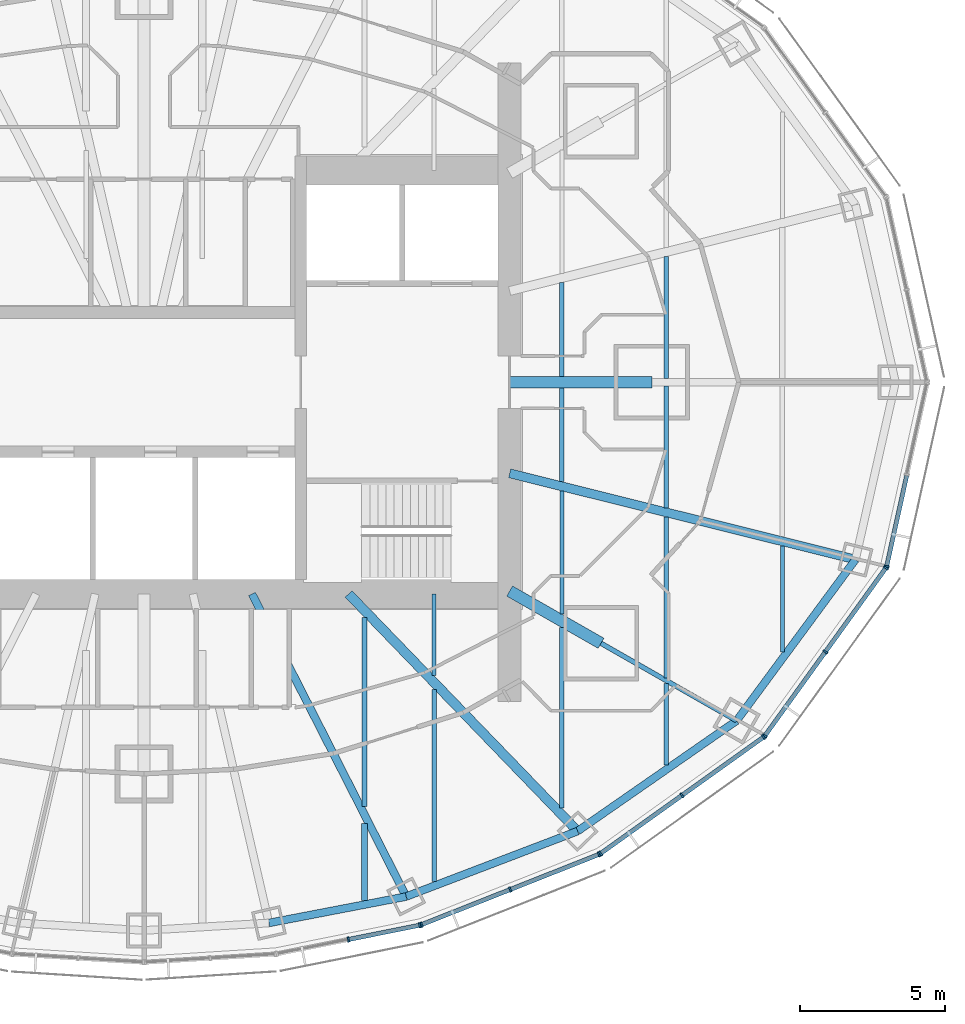
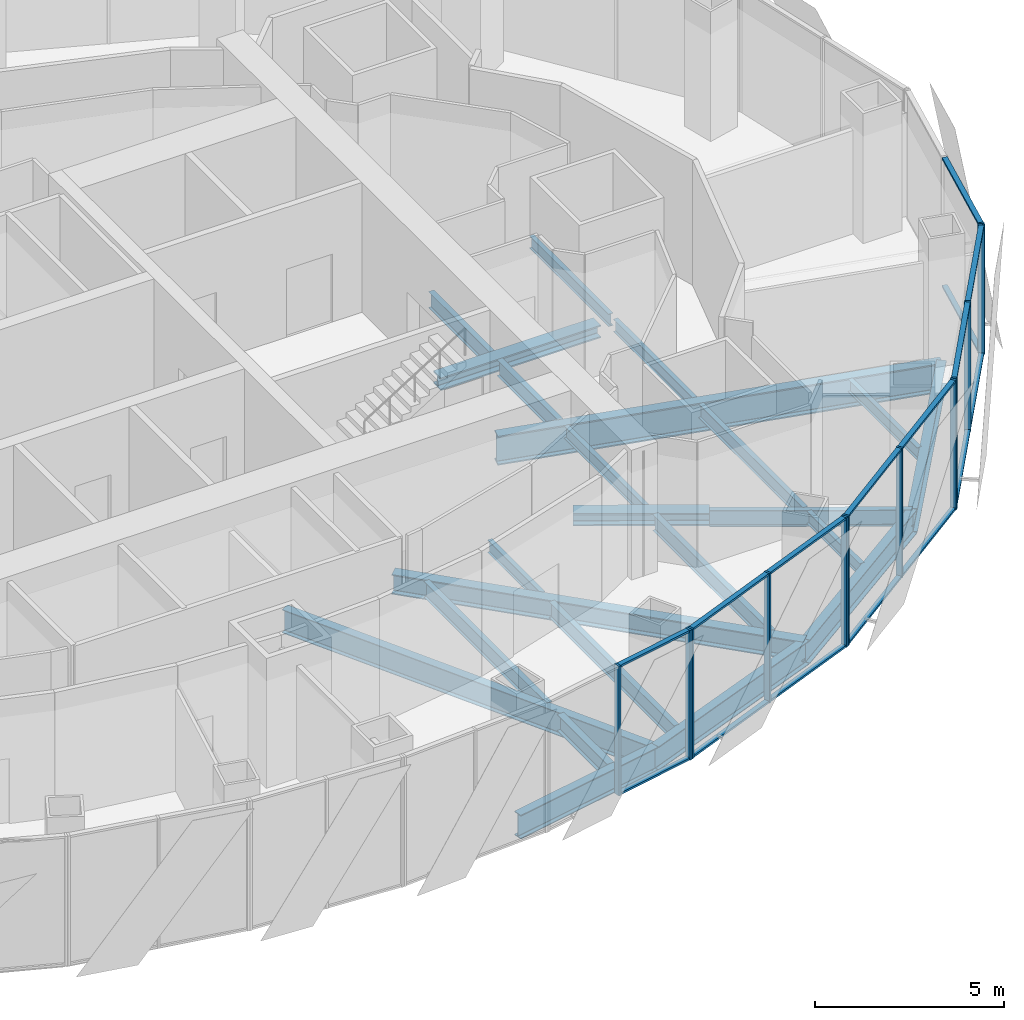
# One storey, part 6 of 18: 28 members, 23 beams, 5 elements without a shape of their own.
"""IFC4 building model written with IfcOpenShell, lengths in metres."""

from ifc_helpers import new_model, si_unit, direction, frame, origin, origin_2d, place, context, subcontext, project, spatial, rectangle, i_section, extrude, material, material_profile, profile_set, type_object, element, aggregate, save


model = new_model("IFC4")

# Units and contexts
model_context = context("Model", 3, precision=1e-05, world=origin(), true_north=direction((0.0, 1.0)))
body_context = subcontext(model_context, "Body", "Model", "MODEL_VIEW")
ifc_project = project(units=[si_unit("LENGTHUNIT", "METRE"), si_unit("AREAUNIT", "SQUARE_METRE"), si_unit("VOLUMEUNIT", "CUBIC_METRE"), si_unit("PLANEANGLEUNIT", "RADIAN"), si_unit("MASSUNIT", "GRAM", prefix="KILO")], contexts=[model_context])

# Site, building, storey
site_placement = place(None, origin())
site = spatial("IfcSite", under=ifc_project, at=site_placement, CompositionType="ELEMENT")
building_placement = place(site_placement, origin())
building = spatial("IfcBuilding", under=site, at=building_placement, Name="Lantaw Convention Tower", CompositionType="ELEMENT")
storey_placement = place(building_placement, frame((0.0, 0.0, 257.800048828125)))
storey = spatial("IfcBuildingStorey", under=building, at=storey_placement, Name="L60", CompositionType="ELEMENT", Elevation=257.800048828125)

# Beams
ifc_material_1 = material(Name="Steel ASTM A992", Category="steel")
ifc_material_profile_1 = material_profile(ifc_material_1, i_section(OverallWidth=0.2666015625, OverallDepth=0.76953125, WebThickness=0.015625, FlangeThickness=0.025390625, FilletRadius=0.0126953125, at=origin_2d()), Name="W30X132")
ifc_profile_set_1 = profile_set([ifc_material_profile_1], Name="Steel ASTM A992")
beam_type_1 = type_object("IfcBeamType", Name="Beam E W30X132", PredefinedType="SPANDREL", material=ifc_profile_set_1)
beam_1_placement = place(storey_placement, frame((4.303955078125, -18.64208984375, -0.534912109375), z_axis=(0.981972091702, 0.189025953556, 0.0), x_axis=(-0.189025953556, 0.981972091702, 0.0)))
element("IfcBeam", 1, at=beam_1_placement, inside=storey, type_object=beam_type_1, Name="Edge beam 20", PredefinedType="SPANDREL", context=body_context, shape_type="SweptSolid", body=[
    extrude(i_section(OverallWidth=0.2666015625, OverallDepth=0.76953125, WebThickness=0.015625, FlangeThickness=0.025390625, FilletRadius=0.0126953125, at=origin_2d()), origin(), (0.0, 0.0, 1.0), 4.817626953125),
])
beam_2_placement = place(storey_placement, frame((9.03466796875, -17.7314453125, -0.534912109375), z_axis=(0.934234988, 0.356658081637, 0.0), x_axis=(-0.356658081637, 0.934234988, 0.0)))
element("IfcBeam", 2, at=beam_2_placement, inside=storey, type_object=beam_type_1, Name="Edge beam 21", PredefinedType="SPANDREL", context=body_context, shape_type="SweptSolid", body=[
    extrude(i_section(OverallWidth=0.2666015625, OverallDepth=0.76953125, WebThickness=0.015625, FlangeThickness=0.025390625, FilletRadius=0.0126953125, at=origin_2d()), origin(), (0.0, 0.0, 1.0), 6.32568359375),
])
beam_3_placement = place(storey_placement, frame((14.9443359375, -15.475341796875, -0.534912109375), z_axis=(0.82135329406, 0.570419815869, 0.0), x_axis=(-0.570419815869, 0.82135329406, 0.0)))
element("IfcBeam", 3, at=beam_3_placement, inside=storey, type_object=beam_type_1, Name="Edge beam 22", PredefinedType="SPANDREL", context=body_context, shape_type="SweptSolid", body=[
    extrude(i_section(OverallWidth=0.2666015625, OverallDepth=0.76953125, WebThickness=0.015625, FlangeThickness=0.025390625, FilletRadius=0.0126953125, at=origin_2d()), origin(), (0.0, 0.0, 1.0), 6.67041015625),
])
beam_4_placement = place(storey_placement, frame((20.423095703125, -11.67041015625, -0.534912109375), z_axis=(0.593639188853, 0.804731329984, 0.0), x_axis=(-0.804731329984, 0.593639188853, 0.0)))
element("IfcBeam", 4, at=beam_4_placement, inside=storey, type_object=beam_type_1, Name="Edge beam 23", PredefinedType="SPANDREL", context=body_context, shape_type="SweptSolid", body=[
    extrude(i_section(OverallWidth=0.2666015625, OverallDepth=0.76953125, WebThickness=0.015625, FlangeThickness=0.025390625, FilletRadius=0.0126953125, at=origin_2d()), origin(), (0.0, 0.0, 1.0), 6.904541015625),
])
ifc_material_profile_2 = material_profile(ifc_material_1, i_section(OverallWidth=0.165771484375, OverallDepth=0.5283203125, WebThickness=0.009765625, FlangeThickness=0.013671875, FilletRadius=0.012939453125, at=origin_2d()), Name="W21X50")
ifc_profile_set_2 = profile_set([ifc_material_profile_2], Name="Steel ASTM A992")
beam_type_2 = type_object("IfcBeamType", Name="Beam G W21X50", PredefinedType="BEAM", material=ifc_profile_set_2)
beam_5_placement = place(storey_placement, frame((15.75, -9.0, -0.414306640625), z_axis=(0.868237559289, -0.496148708192, 0.0), x_axis=(0.496148708192, 0.868237559289, 0.0)))
element("IfcBeam", 5, at=beam_5_placement, inside=storey, type_object=beam_type_2, Name="Floor girder on ray 23", PredefinedType="BEAM", context=body_context, shape_type="SweptSolid", body=[
    extrude(i_section(OverallWidth=0.165771484375, OverallDepth=0.5283203125, WebThickness=0.009765625, FlangeThickness=0.013671875, FilletRadius=0.012939453125, at=origin_2d()), origin(), (0.0, 0.0, 1.0), 5.38232421875),
])
ifc_material_profile_3 = material_profile(ifc_material_1, i_section(OverallWidth=0.32763671875, OverallDepth=0.64013671875, WebThickness=0.01904296875, FlangeThickness=0.033935546875, FilletRadius=0.0126953125, at=origin_2d()), Name="W24X176")
ifc_profile_set_3 = profile_set([ifc_material_profile_3], Name="Steel ASTM A992")
beam_type_3 = type_object("IfcBeamType", Name="Beam G W24X176", PredefinedType="BEAM", material=ifc_profile_set_3)
beam_6_placement = place(storey_placement, frame((7.049560546875, -7.300048828125, -0.469970703125), z_axis=(0.694657766726, -0.719340383356, 0.0), x_axis=(0.719340383356, 0.694657766726, 0.0)))
element("IfcBeam", 6, at=beam_6_placement, inside=storey, type_object=beam_type_3, Name="Floor girder on ray 22", PredefinedType="BEAM", context=body_context, shape_type="SweptSolid", body=[
    extrude(i_section(OverallWidth=0.32763671875, OverallDepth=0.64013671875, WebThickness=0.01904296875, FlangeThickness=0.033935546875, FilletRadius=0.0126953125, at=origin_2d()), origin(), (0.0, 0.0, 1.0), 11.364990234375),
])
ifc_material_profile_4 = material_profile(ifc_material_1, i_section(OverallWidth=0.2666015625, OverallDepth=0.7568359375, WebThickness=0.013916015625, FlangeThickness=0.019287109375, FilletRadius=0.0126953125, at=origin_2d()), Name="W30X108")
ifc_profile_set_4 = profile_set([ifc_material_profile_4], Name="Steel ASTM A992")
beam_type_4 = type_object("IfcBeamType", Name="Beam G W30X108", PredefinedType="BEAM", material=ifc_profile_set_4)
beam_7_placement = place(storey_placement, frame((3.719482421875, -7.300048828125, -0.528564453125), z_axis=(0.4539988787, -0.891002254845, 0.0), x_axis=(0.891002254845, 0.4539988787, 0.0)))
element("IfcBeam", 7, at=beam_7_placement, inside=storey, type_object=beam_type_4, Name="Floor girder on ray 21", PredefinedType="BEAM", context=body_context, shape_type="SweptSolid", body=[
    extrude(i_section(OverallWidth=0.2666015625, OverallDepth=0.7568359375, WebThickness=0.013916015625, FlangeThickness=0.019287109375, FilletRadius=0.0126953125, at=origin_2d()), origin(), (0.0, 0.0, 1.0), 11.70751953125),
])
ifc_material_profile_5 = material_profile(ifc_material_1, i_section(OverallWidth=0.307373046875, OverallDepth=0.9423828125, WebThickness=0.022216796875, FlangeThickness=0.039794921875, FilletRadius=0.0126953125, at=origin_2d()), Name="W36X232")
ifc_profile_set_5 = profile_set([ifc_material_profile_5], Name="Steel ASTM A992")
beam_type_5 = type_object("IfcBeamType", Name="Beam G W36X232", PredefinedType="BEAM", material=ifc_profile_set_5)
beam_8_placement = place(storey_placement, frame((12.60009765625, -3.1416015625, -0.621337890625), z_axis=(0.970296589314, -0.241918434119, 0.0), x_axis=(0.241918434119, 0.970296589314, 0.0)))
element("IfcBeam", 8, at=beam_8_placement, inside=storey, type_object=beam_type_5, Name="Floor girder on ray 24", PredefinedType="BEAM", context=body_context, shape_type="SweptSolid", body=[
    extrude(i_section(OverallWidth=0.307373046875, OverallDepth=0.9423828125, WebThickness=0.022216796875, FlangeThickness=0.039794921875, FilletRadius=0.0126953125, at=origin_2d()), origin(), (0.0, 0.0, 1.0), 12.286865234375),
])
ifc_material_profile_6 = material_profile(ifc_material_1, i_section(OverallWidth=0.40380859375, OverallDepth=0.406494140625, WebThickness=0.027099609375, FlangeThickness=0.043701171875, FilletRadius=0.01513671875, at=origin_2d()), Name="W14X233")
ifc_profile_set_6 = profile_set([ifc_material_profile_6], Name="Steel ASTM A992")
beam_type_6 = type_object("IfcBeamType", Name="Beam GM W14X233", PredefinedType="BEAM", material=ifc_profile_set_6)
beam_9_placement = place(storey_placement, frame((12.60009765625, 0.0, -0.353271484375), z_axis=(1.0, 0.0, 0.0), x_axis=(0.0, 1.0, 0.0)))
element("IfcBeam", 9, at=beam_9_placement, inside=storey, type_object=beam_type_6, Name="Core link beam on ray 1", PredefinedType="BEAM", context=body_context, shape_type="SweptSolid", body=[
    extrude(i_section(OverallWidth=0.40380859375, OverallDepth=0.406494140625, WebThickness=0.027099609375, FlangeThickness=0.043701171875, FilletRadius=0.01513671875, at=origin_2d()), origin(), (0.0, 0.0, 1.0), 4.89990234375),
])
beam_10_placement = place(storey_placement, frame((12.60009765625, -7.199951171875, -0.353271484375), z_axis=(0.868230718294, -0.496160679428, 0.0), x_axis=(0.496160679428, 0.868230718294, 0.0)))
element("IfcBeam", 10, at=beam_10_placement, inside=storey, type_object=beam_type_6, Name="Core link beam on ray 23", PredefinedType="BEAM", context=body_context, shape_type="SweptSolid", body=[
    extrude(i_section(OverallWidth=0.40380859375, OverallDepth=0.406494140625, WebThickness=0.027099609375, FlangeThickness=0.043701171875, FilletRadius=0.01513671875, at=origin_2d()), origin(), (0.0, 0.0, 1.0), 3.6279296875),
])
ifc_material_profile_7 = material_profile(ifc_material_1, i_section(OverallWidth=0.140380859375, OverallDepth=0.40380859375, WebThickness=0.007080078125, FlangeThickness=0.01123046875, FilletRadius=0.01025390625, at=origin_2d()), Name="W16X31")
ifc_profile_set_7 = profile_set([ifc_material_profile_7], Name="Steel ASTM A992")
beam_type_7 = type_object("IfcBeamType", Name="Beam J W16X31", PredefinedType="JOIST", material=ifc_profile_set_7)
beam_11_placement = place(storey_placement, frame((10.0, -10.119384765625, -0.35205078125), z_axis=(0.0, 1.0, 0.0), x_axis=(-1.0, 0.0, 0.0)))
element("IfcBeam", 11, at=beam_11_placement, inside=storey, type_object=beam_type_7, Name="Floor joist", PredefinedType="JOIST", context=body_context, shape_type="SweptSolid", body=[
    extrude(i_section(OverallWidth=0.140380859375, OverallDepth=0.40380859375, WebThickness=0.007080078125, FlangeThickness=0.01123046875, FilletRadius=0.01025390625, at=origin_2d()), origin(), (0.0, 0.0, 1.0), 2.8193359375),
])
beam_12_placement = place(storey_placement, frame((14.39990234375, -7.99609375, -0.35205078125), z_axis=(0.0, 1.0, 0.0), x_axis=(-1.0, 0.0, 0.0)))
element("IfcBeam", 12, at=beam_12_placement, inside=storey, type_object=beam_type_7, Name="Floor joist", PredefinedType="JOIST", context=body_context, shape_type="SweptSolid", body=[
    extrude(i_section(OverallWidth=0.140380859375, OverallDepth=0.40380859375, WebThickness=0.007080078125, FlangeThickness=0.01123046875, FilletRadius=0.01025390625, at=origin_2d()), origin(), (0.0, 0.0, 1.0), 4.247314453125),
])
beam_13_placement = place(storey_placement, frame((18.0, -13.19091796875, -0.35205078125), z_axis=(0.0, 1.0, 0.0), x_axis=(-1.0, 0.0, 0.0)))
element("IfcBeam", 13, at=beam_13_placement, inside=storey, type_object=beam_type_7, Name="Floor joist", PredefinedType="JOIST", context=body_context, shape_type="SweptSolid", body=[
    extrude(i_section(OverallWidth=0.140380859375, OverallDepth=0.40380859375, WebThickness=0.007080078125, FlangeThickness=0.01123046875, FilletRadius=0.01025390625, at=origin_2d()), origin(), (0.0, 0.0, 1.0), 2.8095703125),
])
for number, where, z_axis, x_axis, name in (
    (14, (18.0, -4.32958984375, -0.35205078125), (0.0, 1.0, 0.0), (-1.0, 0.0, 0.0), "Floor joist"),
    (15, (18.0, 0.126953125, -0.35205078125), (0.0, 1.0, 0.0), (-1.0, 0.0, 0.0), "Floor joist"),
):
    element("IfcBeam", number, at=place(storey_placement, frame(where, z_axis=z_axis, x_axis=x_axis)), inside=storey, type_object=beam_type_7, Name=name, PredefinedType="JOIST", context=body_context, shape_type="SweptSolid", body=[
        extrude(i_section(OverallWidth=0.140380859375, OverallDepth=0.40380859375, WebThickness=0.007080078125, FlangeThickness=0.01123046875, FilletRadius=0.01025390625, at=origin_2d()), origin(), (0.0, 0.0, 1.0), 4.20263671875),
    ])
beam_14_placement = place(storey_placement, frame((22.0, -9.30810546875, -0.35205078125), z_axis=(0.0, 1.0, 0.0), x_axis=(-1.0, 0.0, 0.0)))
element("IfcBeam", 16, at=beam_14_placement, inside=storey, type_object=beam_type_7, Name="Floor joist", PredefinedType="JOIST", context=body_context, shape_type="SweptSolid", body=[
    extrude(i_section(OverallWidth=0.140380859375, OverallDepth=0.40380859375, WebThickness=0.007080078125, FlangeThickness=0.01123046875, FilletRadius=0.01025390625, at=origin_2d()), origin(), (0.0, 0.0, 1.0), 3.66455078125),
])
ifc_material_profile_8 = material_profile(ifc_material_1, i_section(OverallWidth=0.15234375, OverallDepth=0.449462890625, WebThickness=0.007568359375, FlangeThickness=0.0107421875, FilletRadius=0.01025390625, at=origin_2d()), Name="W18X35")
ifc_profile_set_8 = profile_set([ifc_material_profile_8], Name="Steel ASTM A992")
beam_type_8 = type_object("IfcBeamType", Name="Beam J W18X35", PredefinedType="JOIST", material=ifc_profile_set_8)
beam_15_placement = place(storey_placement, frame((18.0, -10.190185546875, -0.374755859375), z_axis=(0.0, 1.0, 0.0), x_axis=(-1.0, 0.0, 0.0)))
element("IfcBeam", 17, at=beam_15_placement, inside=storey, type_object=beam_type_8, Name="Floor joist", PredefinedType="JOIST", context=body_context, shape_type="SweptSolid", body=[
    extrude(i_section(OverallWidth=0.15234375, OverallDepth=0.449462890625, WebThickness=0.007568359375, FlangeThickness=0.0107421875, FilletRadius=0.01025390625, at=origin_2d()), origin(), (0.0, 0.0, 1.0), 5.5439453125),
])
ifc_material_profile_9 = material_profile(ifc_material_1, i_section(OverallWidth=0.1650390625, OverallDepth=0.52587890625, WebThickness=0.0087890625, FlangeThickness=0.011474609375, FilletRadius=0.0126953125, at=origin_2d()), Name="W21X44")
ifc_profile_set_9 = profile_set([ifc_material_profile_9], Name="Steel ASTM A992")
beam_type_9 = type_object("IfcBeamType", Name="Beam J W21X44", PredefinedType="JOIST", material=ifc_profile_set_9)
beam_16_placement = place(storey_placement, frame((7.60009765625, -14.6220703125, -0.412841796875), z_axis=(0.0, 1.0, 0.0), x_axis=(-1.0, 0.0, 0.0)))
element("IfcBeam", 18, at=beam_16_placement, inside=storey, type_object=beam_type_9, Name="Floor joist", PredefinedType="JOIST", context=body_context, shape_type="SweptSolid", body=[
    extrude(i_section(OverallWidth=0.1650390625, OverallDepth=0.52587890625, WebThickness=0.0087890625, FlangeThickness=0.011474609375, FilletRadius=0.0126953125, at=origin_2d()), origin(), (0.0, 0.0, 1.0), 6.51611328125),
])
beam_17_placement = place(storey_placement, frame((10.0, -17.22021484375, -0.412841796875), z_axis=(0.0, 1.0, 0.0), x_axis=(-1.0, 0.0, 0.0)))
element("IfcBeam", 19, at=beam_17_placement, inside=storey, type_object=beam_type_9, Name="Floor joist", PredefinedType="JOIST", context=body_context, shape_type="SweptSolid", body=[
    extrude(i_section(OverallWidth=0.1650390625, OverallDepth=0.52587890625, WebThickness=0.0087890625, FlangeThickness=0.011474609375, FilletRadius=0.0126953125, at=origin_2d()), origin(), (0.0, 0.0, 1.0), 6.629150390625),
])
beam_18_placement = place(storey_placement, frame((14.39990234375, -14.67578125, -0.412841796875), z_axis=(0.0, 1.0, 0.0), x_axis=(-1.0, 0.0, 0.0)))
element("IfcBeam", 20, at=beam_18_placement, inside=storey, type_object=beam_type_9, Name="Floor joist", PredefinedType="JOIST", context=body_context, shape_type="SweptSolid", body=[
    extrude(i_section(OverallWidth=0.1650390625, OverallDepth=0.52587890625, WebThickness=0.0087890625, FlangeThickness=0.011474609375, FilletRadius=0.0126953125, at=origin_2d()), origin(), (0.0, 0.0, 1.0), 6.214599609375),
])
for number, where, z_axis, x_axis, name in (
    (21, (14.39990234375, -3.431884765625, -0.412841796875), (0.0, 1.0, 0.0), (-1.0, 0.0, 0.0), "Floor joist"),
    (22, (14.39990234375, 0.201904296875, -0.412841796875), (0.0, 1.0, 0.0), (-1.0, 0.0, 0.0), "Floor joist"),
):
    element("IfcBeam", number, at=place(storey_placement, frame(where, z_axis=z_axis, x_axis=x_axis)), inside=storey, type_object=beam_type_9, Name=name, PredefinedType="JOIST", context=body_context, shape_type="SweptSolid", body=[
        extrude(i_section(OverallWidth=0.1650390625, OverallDepth=0.52587890625, WebThickness=0.0087890625, FlangeThickness=0.011474609375, FilletRadius=0.0126953125, at=origin_2d()), origin(), (0.0, 0.0, 1.0), 3.22998046875),
    ])
ifc_material_profile_10 = material_profile(ifc_material_1, i_section(OverallWidth=0.2099609375, OverallDepth=0.535888671875, WebThickness=0.010986328125, FlangeThickness=0.017333984375, FilletRadius=0.012939453125, at=origin_2d()), Name="W21X68")
ifc_profile_set_10 = profile_set([ifc_material_profile_10], Name="Steel ASTM A992")
beam_type_10 = type_object("IfcBeamType", Name="Beam J W21X68", PredefinedType="JOIST", material=ifc_profile_set_10)
beam_19_placement = place(storey_placement, frame((7.60009765625, -17.871826171875, -0.41796875), z_axis=(0.0, 1.0, 0.0), x_axis=(-1.0, 0.0, 0.0)))
element("IfcBeam", 23, at=beam_19_placement, inside=storey, type_object=beam_type_10, Name="Floor joist", PredefinedType="JOIST", context=body_context, shape_type="SweptSolid", body=[
    extrude(i_section(OverallWidth=0.2099609375, OverallDepth=0.535888671875, WebThickness=0.010986328125, FlangeThickness=0.017333984375, FilletRadius=0.012939453125, at=origin_2d()), origin(), (0.0, 0.0, 1.0), 2.662353515625),
])

# Curtain wall, members
ifc_material_2 = material(Name="Aluminium framed curtain wall", Category="aluminium")
curtain_wall_type = type_object("IfcCurtainWallType", Name="Office curtain wall high rise, pale aluminium", PredefinedType="USERDEFINED", material=ifc_material_2)
curtain_wall_1_placement = place(storey_placement, origin())
curtain_wall_1 = element("IfcCurtainWall", 24, at=curtain_wall_1_placement, inside=storey, type_object=curtain_wall_type, Name="Office curtain wall high rise, pale aluminium L60", ObjectType="UNITISED CURTAIN WALL", PredefinedType="USERDEFINED")
ifc_material_3 = material(Name="Aluminium 6063-T6", Category="aluminium")
ifc_material_profile_11 = material_profile(ifc_material_3, rectangle(XDim=0.179931640625, YDim=0.06494140625, at=origin_2d()), Name="CW-O2 mullion 65x180")
ifc_profile_set_11 = profile_set([ifc_material_profile_11], Name="Aluminium 6063-T6")
member_type_1 = type_object("IfcMemberType", Name="CW-O2 mullion 65x180", PredefinedType="MULLION", material=ifc_profile_set_11)
member_1_placement = place(storey_placement, frame((7.042724609375, -19.212646484375, -0.150146484375), z_axis=(0.0, 0.0, 1.0), x_axis=(-0.197183095987, 0.980366679695, 0.0)))
member_1 = element("IfcMember", 25, at=member_1_placement, type_object=member_type_1, Name="CW-O2 mullion 2", PredefinedType="MULLION", context=body_context, shape_type="SweptSolid", body=[
    extrude(rectangle(XDim=0.179931640625, YDim=0.06494140625, at=origin_2d()), origin(), (0.0, 0.0, 1.0), 4.2001953125),
])
member_2_placement = place(storey_placement, frame((9.502197265625, -18.718017578125, -0.150146484375), z_axis=(0.0, 0.0, 1.0), x_axis=(-0.197183095987, 0.980366679695, 0.0)))
member_2 = element("IfcMember", 26, at=member_2_placement, type_object=member_type_1, Name="CW-O2 mullion 3", PredefinedType="MULLION", context=body_context, shape_type="SweptSolid", body=[
    extrude(rectangle(XDim=0.179931640625, YDim=0.06494140625, at=origin_2d()), origin(), (0.0, 0.0, 1.0), 4.2001953125),
])

curtain_wall_2_placement = place(storey_placement, origin())
curtain_wall_2 = element("IfcCurtainWall", 27, at=curtain_wall_2_placement, inside=storey, type_object=curtain_wall_type, Name="Office curtain wall high rise, pale aluminium L60", ObjectType="UNITISED CURTAIN WALL", PredefinedType="USERDEFINED")
member_3_placement = place(storey_placement, frame((9.564208984375, -18.69970703125, -0.150146484375), z_axis=(0.0, 0.0, 1.0), x_axis=(-0.368162315252, 0.929761533743, 0.0)))
member_3 = element("IfcMember", 28, at=member_3_placement, type_object=member_type_1, Name="CW-O2 mullion 1", PredefinedType="MULLION", context=body_context, shape_type="SweptSolid", body=[
    extrude(rectangle(XDim=0.179931640625, YDim=0.06494140625, at=origin_2d()), origin(), (0.0, 0.0, 1.0), 4.2001953125),
])
member_4_placement = place(storey_placement, frame((12.621337890625, -17.4892578125, -0.150146484375), z_axis=(0.0, 0.0, 1.0), x_axis=(-0.368162315252, 0.929761533743, 0.0)))
member_4 = element("IfcMember", 29, at=member_4_placement, type_object=member_type_1, Name="CW-O2 mullion 2", PredefinedType="MULLION", context=body_context, shape_type="SweptSolid", body=[
    extrude(rectangle(XDim=0.179931640625, YDim=0.06494140625, at=origin_2d()), origin(), (0.0, 0.0, 1.0), 4.2001953125),
])
member_5_placement = place(storey_placement, frame((15.67822265625, -16.278564453125, -0.150146484375), z_axis=(0.0, 0.0, 1.0), x_axis=(-0.368162315252, 0.929761533743, 0.0)))
member_5 = element("IfcMember", 30, at=member_5_placement, type_object=member_type_1, Name="CW-O2 mullion 3", PredefinedType="MULLION", context=body_context, shape_type="SweptSolid", body=[
    extrude(rectangle(XDim=0.179931640625, YDim=0.06494140625, at=origin_2d()), origin(), (0.0, 0.0, 1.0), 4.2001953125),
])

curtain_wall_3_placement = place(storey_placement, origin())
curtain_wall_3 = element("IfcCurtainWall", 31, at=curtain_wall_3_placement, inside=storey, type_object=curtain_wall_type, Name="Office curtain wall high rise, pale aluminium L60", ObjectType="UNITISED CURTAIN WALL", PredefinedType="USERDEFINED")
member_6_placement = place(storey_placement, frame((15.73486328125, -16.247802734375, -0.150146484375), z_axis=(0.0, 0.0, 1.0), x_axis=(-0.581323487281, 0.813672540482, 0.0)))
member_6 = element("IfcMember", 32, at=member_6_placement, type_object=member_type_1, Name="CW-O2 mullion 1", PredefinedType="MULLION", context=body_context, shape_type="SweptSolid", body=[
    extrude(rectangle(XDim=0.179931640625, YDim=0.06494140625, at=origin_2d()), origin(), (0.0, 0.0, 1.0), 4.2001953125),
])
member_7_placement = place(storey_placement, frame((18.543212890625, -14.241455078125, -0.150146484375), z_axis=(0.0, 0.0, 1.0), x_axis=(-0.581323487281, 0.813672540482, 0.0)))
member_7 = element("IfcMember", 33, at=member_7_placement, type_object=member_type_1, Name="CW-O2 mullion 2", PredefinedType="MULLION", context=body_context, shape_type="SweptSolid", body=[
    extrude(rectangle(XDim=0.179931640625, YDim=0.06494140625, at=origin_2d()), origin(), (0.0, 0.0, 1.0), 4.2001953125),
])
member_8_placement = place(storey_placement, frame((21.3515625, -12.23486328125, -0.150146484375), z_axis=(0.0, 0.0, 1.0), x_axis=(-0.581323487281, 0.813672540482, 0.0)))
member_8 = element("IfcMember", 34, at=member_8_placement, type_object=member_type_1, Name="CW-O2 mullion 3", PredefinedType="MULLION", context=body_context, shape_type="SweptSolid", body=[
    extrude(rectangle(XDim=0.179931640625, YDim=0.06494140625, at=origin_2d()), origin(), (0.0, 0.0, 1.0), 4.2001953125),
])

curtain_wall_4_placement = place(storey_placement, origin())
curtain_wall_4 = element("IfcCurtainWall", 35, at=curtain_wall_4_placement, inside=storey, type_object=curtain_wall_type, Name="Office curtain wall high rise, pale aluminium L60", ObjectType="UNITISED CURTAIN WALL", PredefinedType="USERDEFINED")
member_9_placement = place(storey_placement, frame((21.397216796875, -12.189697265625, -0.150146484375), z_axis=(0.0, 0.0, 1.0), x_axis=(-0.810919559405, 0.585157643865, 0.0)))
member_9 = element("IfcMember", 36, at=member_9_placement, type_object=member_type_1, Name="CW-O2 mullion 1", PredefinedType="MULLION", context=body_context, shape_type="SweptSolid", body=[
    extrude(rectangle(XDim=0.179931640625, YDim=0.06494140625, at=origin_2d()), origin(), (0.0, 0.0, 1.0), 4.2001953125),
])
member_10_placement = place(storey_placement, frame((23.483642578125, -9.298095703125, -0.150146484375), z_axis=(0.0, 0.0, 1.0), x_axis=(-0.810919559405, 0.585157643865, 0.0)))
member_10 = element("IfcMember", 37, at=member_10_placement, type_object=member_type_1, Name="CW-O2 mullion 2", PredefinedType="MULLION", context=body_context, shape_type="SweptSolid", body=[
    extrude(rectangle(XDim=0.179931640625, YDim=0.06494140625, at=origin_2d()), origin(), (0.0, 0.0, 1.0), 4.2001953125),
])
member_11_placement = place(storey_placement, frame((25.5703125, -6.406494140625, -0.150146484375), z_axis=(0.0, 0.0, 1.0), x_axis=(-0.810919559405, 0.585157643865, 0.0)))
member_11 = element("IfcMember", 38, at=member_11_placement, type_object=member_type_1, Name="CW-O2 mullion 3", PredefinedType="MULLION", context=body_context, shape_type="SweptSolid", body=[
    extrude(rectangle(XDim=0.179931640625, YDim=0.06494140625, at=origin_2d()), origin(), (0.0, 0.0, 1.0), 4.2001953125),
])

# Curtain wall, member
curtain_wall_5_placement = place(storey_placement, origin())
curtain_wall_5 = element("IfcCurtainWall", 39, at=curtain_wall_5_placement, inside=storey, type_object=curtain_wall_type, Name="Office curtain wall high rise, pale aluminium L60", ObjectType="UNITISED CURTAIN WALL", PredefinedType="USERDEFINED")
member_12_placement = place(storey_placement, frame((25.596435546875, -6.348388671875, -0.150146484375), z_axis=(0.0, 0.0, 1.0), x_axis=(-0.976417396437, 0.215891333626, 0.0)))
member_12 = element("IfcMember", 40, at=member_12_placement, type_object=member_type_1, Name="CW-O2 mullion 1", PredefinedType="MULLION", context=body_context, shape_type="SweptSolid", body=[
    extrude(rectangle(XDim=0.179931640625, YDim=0.06494140625, at=origin_2d()), origin(), (0.0, 0.0, 1.0), 4.2001953125),
])

# Member
ifc_material_profile_12 = material_profile(ifc_material_3, rectangle(XDim=0.14990234375, YDim=0.06494140625, at=origin_2d()), Name="CW-O2 transom 65x150")
ifc_profile_set_12 = profile_set([ifc_material_profile_12], Name="Aluminium 6063-T6")
member_type_2 = type_object("IfcMemberType", Name="CW-O2 transom 65x150", PredefinedType="USERDEFINED", material=ifc_profile_set_12)
member_13_placement = place(storey_placement, frame((7.074462890625, -19.206298828125, -0.117431640625), z_axis=(0.98036104319, 0.197211117829, 0.0), x_axis=(-0.197211117829, 0.98036104319, 0.0)))
member_13 = element("IfcMember", 41, at=member_13_placement, type_object=member_type_2, Name="CW-O2 transom 2.1", ObjectType="TRANSOM", PredefinedType="USERDEFINED", context=body_context, shape_type="SweptSolid", body=[
    extrude(rectangle(XDim=0.14990234375, YDim=0.06494140625, at=origin_2d()), origin(), (0.0, 0.0, 1.0), 2.44384765625),
])

member_14_placement = place(storey_placement, frame((7.074462890625, -19.206298828125, 4.017333984375), z_axis=(0.98036104319, 0.197211117829, 0.0), x_axis=(-0.197211117829, 0.98036104319, 0.0)))
member_14 = element("IfcMember", 42, at=member_14_placement, type_object=member_type_2, Name="CW-O2 transom 2.2", ObjectType="TRANSOM", PredefinedType="USERDEFINED", context=body_context, shape_type="SweptSolid", body=[
    extrude(rectangle(XDim=0.14990234375, YDim=0.06494140625, at=origin_2d()), origin(), (0.0, 0.0, 1.0), 2.44384765625),
])

aggregate(curtain_wall_1, [member_1, member_2, member_13, member_14])

member_15_placement = place(storey_placement, frame((9.594482421875, -18.687744140625, -0.117431640625), z_axis=(0.929766642946, 0.368149412149, 0.0), x_axis=(-0.368149412149, 0.929766642946, 0.0)))
member_15 = element("IfcMember", 43, at=member_15_placement, type_object=member_type_2, Name="CW-O2 transom 1.1", ObjectType="TRANSOM", PredefinedType="USERDEFINED", context=body_context, shape_type="SweptSolid", body=[
    extrude(rectangle(XDim=0.14990234375, YDim=0.06494140625, at=origin_2d()), origin(), (0.0, 0.0, 1.0), 3.222900390625),
])

member_16_placement = place(storey_placement, frame((9.594482421875, -18.687744140625, 4.017333984375), z_axis=(0.929766642946, 0.368149412149, 0.0), x_axis=(-0.368149412149, 0.929766642946, 0.0)))
member_16 = element("IfcMember", 44, at=member_16_placement, type_object=member_type_2, Name="CW-O2 transom 1.2", ObjectType="TRANSOM", PredefinedType="USERDEFINED", context=body_context, shape_type="SweptSolid", body=[
    extrude(rectangle(XDim=0.14990234375, YDim=0.06494140625, at=origin_2d()), origin(), (0.0, 0.0, 1.0), 3.222900390625),
])

member_17_placement = place(storey_placement, frame((12.651611328125, -17.477294921875, -0.117431640625), z_axis=(0.929740712354, 0.368214893495, 0.0), x_axis=(-0.368214893495, 0.929740712354, 0.0)))
member_17 = element("IfcMember", 45, at=member_17_placement, type_object=member_type_2, Name="CW-O2 transom 2.1", ObjectType="TRANSOM", PredefinedType="USERDEFINED", context=body_context, shape_type="SweptSolid", body=[
    extrude(rectangle(XDim=0.14990234375, YDim=0.06494140625, at=origin_2d()), origin(), (0.0, 0.0, 1.0), 3.22314453125),
])

member_18_placement = place(storey_placement, frame((12.651611328125, -17.477294921875, 4.017333984375), z_axis=(0.929740712354, 0.368214893495, 0.0), x_axis=(-0.368214893495, 0.929740712354, 0.0)))
member_18 = element("IfcMember", 46, at=member_18_placement, type_object=member_type_2, Name="CW-O2 transom 2.2", ObjectType="TRANSOM", PredefinedType="USERDEFINED", context=body_context, shape_type="SweptSolid", body=[
    extrude(rectangle(XDim=0.14990234375, YDim=0.06494140625, at=origin_2d()), origin(), (0.0, 0.0, 1.0), 3.22314453125),
])

aggregate(curtain_wall_2, [member_3, member_4, member_5, member_15, member_16, member_17, member_18])

member_19_placement = place(storey_placement, frame((15.761474609375, -16.22900390625, -0.117431640625), z_axis=(0.813645780821, 0.581360940683, 0.0), x_axis=(-0.581360940683, 0.813645780821, 0.0)))
member_19 = element("IfcMember", 47, at=member_19_placement, type_object=member_type_2, Name="CW-O2 transom 1.1", ObjectType="TRANSOM", PredefinedType="USERDEFINED", context=body_context, shape_type="SweptSolid", body=[
    extrude(rectangle(XDim=0.14990234375, YDim=0.06494140625, at=origin_2d()), origin(), (0.0, 0.0, 1.0), 3.386474609375),
])

member_20_placement = place(storey_placement, frame((15.761474609375, -16.22900390625, 4.017333984375), z_axis=(0.813645780821, 0.581360940683, 0.0), x_axis=(-0.581360940683, 0.813645780821, 0.0)))
member_20 = element("IfcMember", 48, at=member_20_placement, type_object=member_type_2, Name="CW-O2 transom 1.2", ObjectType="TRANSOM", PredefinedType="USERDEFINED", context=body_context, shape_type="SweptSolid", body=[
    extrude(rectangle(XDim=0.14990234375, YDim=0.06494140625, at=origin_2d()), origin(), (0.0, 0.0, 1.0), 3.386474609375),
])

member_21_placement = place(storey_placement, frame((18.56982421875, -14.222412109375, -0.117431640625), z_axis=(0.813679882592, 0.581313210468, 0.0), x_axis=(-0.581313210468, 0.813679882592, 0.0)))
member_21 = element("IfcMember", 49, at=member_21_placement, type_object=member_type_2, Name="CW-O2 transom 2.1", ObjectType="TRANSOM", PredefinedType="USERDEFINED", context=body_context, shape_type="SweptSolid", body=[
    extrude(rectangle(XDim=0.14990234375, YDim=0.06494140625, at=origin_2d()), origin(), (0.0, 0.0, 1.0), 3.38623046875),
])

member_22_placement = place(storey_placement, frame((18.56982421875, -14.222412109375, 4.017333984375), z_axis=(0.813679882592, 0.581313210468, 0.0), x_axis=(-0.581313210468, 0.813679882592, 0.0)))
member_22 = element("IfcMember", 50, at=member_22_placement, type_object=member_type_2, Name="CW-O2 transom 2.2", ObjectType="TRANSOM", PredefinedType="USERDEFINED", context=body_context, shape_type="SweptSolid", body=[
    extrude(rectangle(XDim=0.14990234375, YDim=0.06494140625, at=origin_2d()), origin(), (0.0, 0.0, 1.0), 3.38623046875),
])

aggregate(curtain_wall_3, [member_6, member_7, member_8, member_19, member_20, member_21, member_22])

member_23_placement = place(storey_placement, frame((21.416259765625, -12.163330078125, -0.117431640625), z_axis=(0.585123825205, 0.810943961798, 0.0), x_axis=(-0.810943961798, 0.585123825205, 0.0)))
member_23 = element("IfcMember", 51, at=member_23_placement, type_object=member_type_2, Name="CW-O2 transom 1.1", ObjectType="TRANSOM", PredefinedType="USERDEFINED", context=body_context, shape_type="SweptSolid", body=[
    extrude(rectangle(XDim=0.14990234375, YDim=0.06494140625, at=origin_2d()), origin(), (0.0, 0.0, 1.0), 3.500732421875),
])

member_24_placement = place(storey_placement, frame((21.416259765625, -12.163330078125, 4.017333984375), z_axis=(0.585123825205, 0.810943961798, 0.0), x_axis=(-0.810943961798, 0.585123825205, 0.0)))
member_24 = element("IfcMember", 52, at=member_24_placement, type_object=member_type_2, Name="CW-O2 transom 1.2", ObjectType="TRANSOM", PredefinedType="USERDEFINED", context=body_context, shape_type="SweptSolid", body=[
    extrude(rectangle(XDim=0.14990234375, YDim=0.06494140625, at=origin_2d()), origin(), (0.0, 0.0, 1.0), 3.500732421875),
])

member_25_placement = place(storey_placement, frame((23.502685546875, -9.271728515625, -0.117431640625), z_axis=(0.585169685931, 0.810910869743, 0.0), x_axis=(-0.810910869743, 0.585169685931, 0.0)))
member_25 = element("IfcMember", 53, at=member_25_placement, type_object=member_type_2, Name="CW-O2 transom 2.1", ObjectType="TRANSOM", PredefinedType="USERDEFINED", context=body_context, shape_type="SweptSolid", body=[
    extrude(rectangle(XDim=0.14990234375, YDim=0.06494140625, at=origin_2d()), origin(), (0.0, 0.0, 1.0), 3.500732421875),
])

member_26_placement = place(storey_placement, frame((23.502685546875, -9.271728515625, 4.017333984375), z_axis=(0.585169685931, 0.810910869743, 0.0), x_axis=(-0.810910869743, 0.585169685931, 0.0)))
member_26 = element("IfcMember", 54, at=member_26_placement, type_object=member_type_2, Name="CW-O2 transom 2.2", ObjectType="TRANSOM", PredefinedType="USERDEFINED", context=body_context, shape_type="SweptSolid", body=[
    extrude(rectangle(XDim=0.14990234375, YDim=0.06494140625, at=origin_2d()), origin(), (0.0, 0.0, 1.0), 3.500732421875),
])

aggregate(curtain_wall_4, [member_9, member_10, member_11, member_23, member_24, member_25, member_26])

member_27_placement = place(storey_placement, frame((25.603271484375, -6.316650390625, -0.117431640625), z_axis=(0.215894607042, 0.976416672661, 0.0), x_axis=(-0.976416672661, 0.215894607042, 0.0)))
member_27 = element("IfcMember", 55, at=member_27_placement, type_object=member_type_2, Name="CW-O2 transom 1.1", ObjectType="TRANSOM", PredefinedType="USERDEFINED", context=body_context, shape_type="SweptSolid", body=[
    extrude(rectangle(XDim=0.14990234375, YDim=0.06494140625, at=origin_2d()), origin(), (0.0, 0.0, 1.0), 3.169677734375),
])

member_28_placement = place(storey_placement, frame((25.603271484375, -6.316650390625, 4.017333984375), z_axis=(0.215894607042, 0.976416672661, 0.0), x_axis=(-0.976416672661, 0.215894607042, 0.0)))
member_28 = element("IfcMember", 56, at=member_28_placement, type_object=member_type_2, Name="CW-O2 transom 1.2", ObjectType="TRANSOM", PredefinedType="USERDEFINED", context=body_context, shape_type="SweptSolid", body=[
    extrude(rectangle(XDim=0.14990234375, YDim=0.06494140625, at=origin_2d()), origin(), (0.0, 0.0, 1.0), 3.169677734375),
])

aggregate(curtain_wall_5, [member_12, member_27, member_28])

save(model, "model.ifc")
